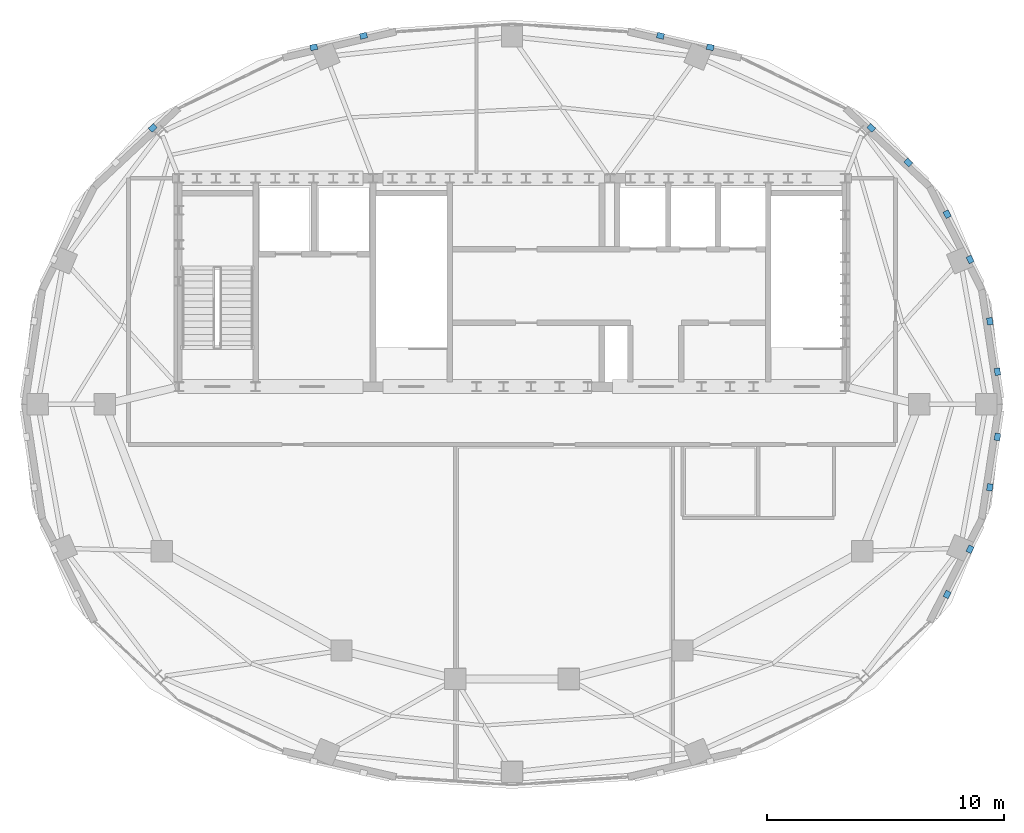
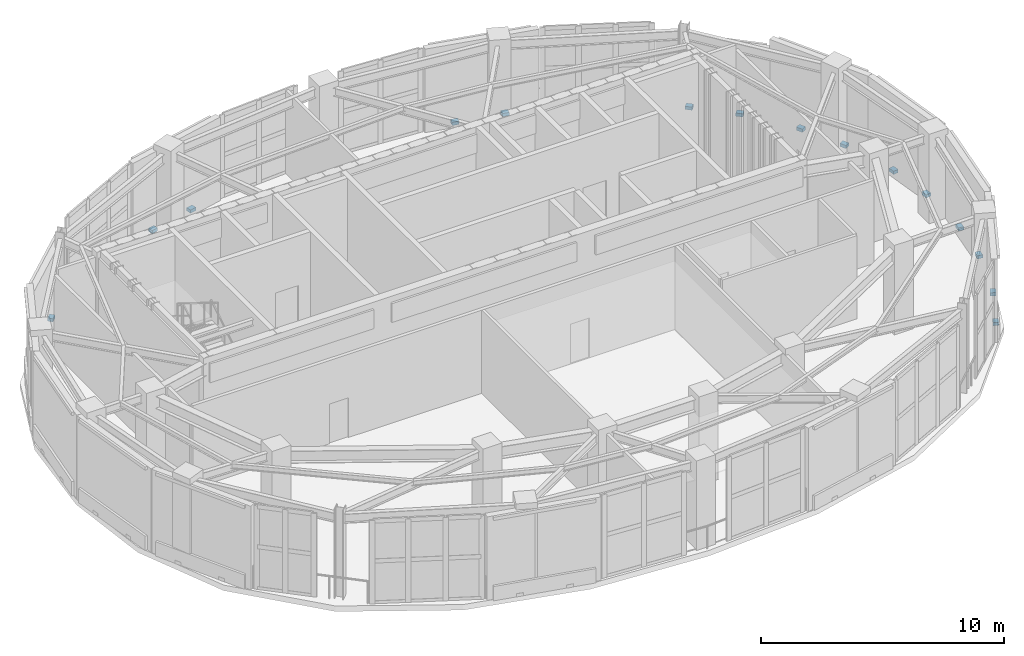
# One storey, part 8 of 10: 15 discrete accessories.
"""IFC4 building model written with IfcOpenShell, lengths in metres."""

from ifc_helpers import new_model, si_unit, direction, frame, origin, origin_2d, place, context, subcontext, project, spatial, rectangle, extrude, material, type_object, element, save


model = new_model("IFC4")

# Units and contexts
model_context = context("Model", 3, precision=1e-05, world=origin(), true_north=direction((0.0, 1.0)))
body_context = subcontext(model_context, "Body", "Model", "MODEL_VIEW")
ifc_project = project(units=[si_unit("LENGTHUNIT", "METRE"), si_unit("AREAUNIT", "SQUARE_METRE"), si_unit("VOLUMEUNIT", "CUBIC_METRE"), si_unit("PLANEANGLEUNIT", "RADIAN"), si_unit("MASSUNIT", "GRAM", prefix="KILO")], contexts=[model_context])

# Site, building, storey
site_placement = place(None, origin())
site = spatial("IfcSite", under=ifc_project, at=site_placement, CompositionType="ELEMENT")
building_placement = place(site_placement, origin())
building = spatial("IfcBuilding", under=site, at=building_placement, Name="Haldorwick Loom Tower", CompositionType="ELEMENT")
storey_placement = place(building_placement, frame((0.0, 0.0, 296.0)))
storey = spatial("IfcBuildingStorey", under=building, at=storey_placement, Name="L79", CompositionType="ELEMENT", Elevation=296.0)

# Discrete accessories
ifc_material = material(Name="Galvanized Steel CSA G40.21 350W", Category="steel")
discrete_accessory_type = type_object("IfcDiscreteAccessoryType", Name="ARC-ACC-BRACKET", PredefinedType="BRACKET", material=ifc_material)
for number, where, z_axis, x_axis, name in (
    (1, (56.50634765625, 27.376708984375, 0.0), (0.0, 0.0, 1.0), (-0.149535343444, 0.988756381047, 0.0), "L79 Stainless Masonry Shelf Angle Bracket 1L"),
    (2, (56.183349609375, 29.50732421875, 0.0), (0.0, 0.0, 1.0), (-0.149535343444, 0.988756381047, 0.0), "L79 Stainless Masonry Shelf Angle Bracket 1R"),
    (3, (55.348388671875, 32.121337890625, 0.0), (0.0, 0.0, 1.0), (-0.452434709312, 0.891797529605, 0.0), "L79 Stainless Masonry Shelf Angle Bracket 2L"),
    (4, (54.381103515625, 34.03173828125, 0.0), (0.0, 0.0, 1.0), (-0.452434709312, 0.891797529605, 0.0), "L79 Stainless Masonry Shelf Angle Bracket 2R"),
    (5, (52.739990234375, 36.216796875, 0.0), (0.0, 0.0, 1.0), (-0.731353701619, 0.681998360062, 0.0), "L79 Stainless Masonry Shelf Angle Bracket 3L"),
    (6, (51.1748046875, 37.67822265625, 0.0), (0.0, 0.0, 1.0), (-0.731353701619, 0.681998360062, 0.0), "L79 Stainless Masonry Shelf Angle Bracket 3R"),
    (7, (44.373046875, 41.08251953125, 0.0), (0.0, 0.0, 1.0), (-0.974370064785, 0.224951054344, 0.0), "L79 Stainless Masonry Shelf Angle Bracket 5L"),
    (8, (42.268798828125, 41.56689453125, 0.0), (0.0, 0.0, 1.0), (-0.974370064785, 0.224951054344, 0.0), "L79 Stainless Masonry Shelf Angle Bracket 5R"),
    (9, (29.731201171875, 41.56689453125, 0.0), (0.0, 0.0, 1.0), (-0.974370064785, -0.224951054344, 0.0), "L79 Stainless Masonry Shelf Angle Bracket 8L"),
    (10, (27.626953125, 41.08251953125, 0.0), (0.0, 0.0, 1.0), (-0.974370064785, -0.224951054344, 0.0), "L79 Stainless Masonry Shelf Angle Bracket 8R"),
    (11, (20.8251953125, 37.67822265625, 0.0), (0.0, 0.0, 1.0), (-0.731353701619, -0.681998360062, 0.0), "L79 Stainless Masonry Shelf Angle Bracket 10L"),
    (12, (54.381103515625, 17.96826171875, 0.0), (0.0, 0.0, 1.0), (0.452434709312, 0.891797529605, 0.0), "L79 Stainless Masonry Shelf Angle Bracket 23L"),
    (13, (55.348388671875, 19.878662109375, 0.0), (0.0, 0.0, 1.0), (0.452434709312, 0.891797529605, 0.0), "L79 Stainless Masonry Shelf Angle Bracket 23R"),
    (14, (56.183349609375, 22.49267578125, 0.0), (0.0, 0.0, 1.0), (0.149535343444, 0.988756381047, 0.0), "L79 Stainless Masonry Shelf Angle Bracket 24L"),
    (15, (56.50634765625, 24.623291015625, 0.0), (0.0, 0.0, 1.0), (0.149535343444, 0.988756381047, 0.0), "L79 Stainless Masonry Shelf Angle Bracket 24R"),
):
    element("IfcDiscreteAccessory", number, at=place(storey_placement, frame(where, z_axis=z_axis, x_axis=x_axis)), inside=storey, type_object=discrete_accessory_type, Name=name, PredefinedType="BRACKET", context=body_context, shape_type="SweptSolid", body=[
        extrude(rectangle(XDim=0.300048828125, YDim=0.239990234375, at=origin_2d()), origin(), (0.0, 0.0, 1.0), 0.159912109375),
    ])

save(model, "model.ifc")
